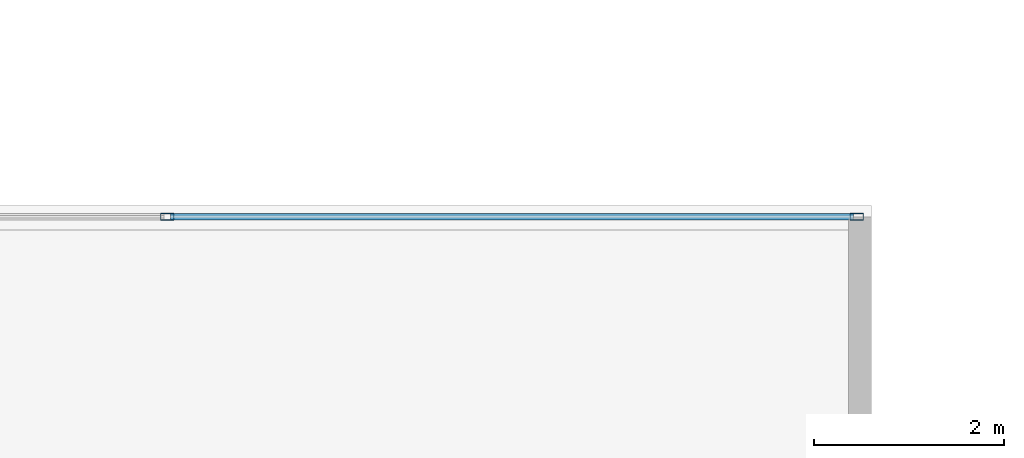
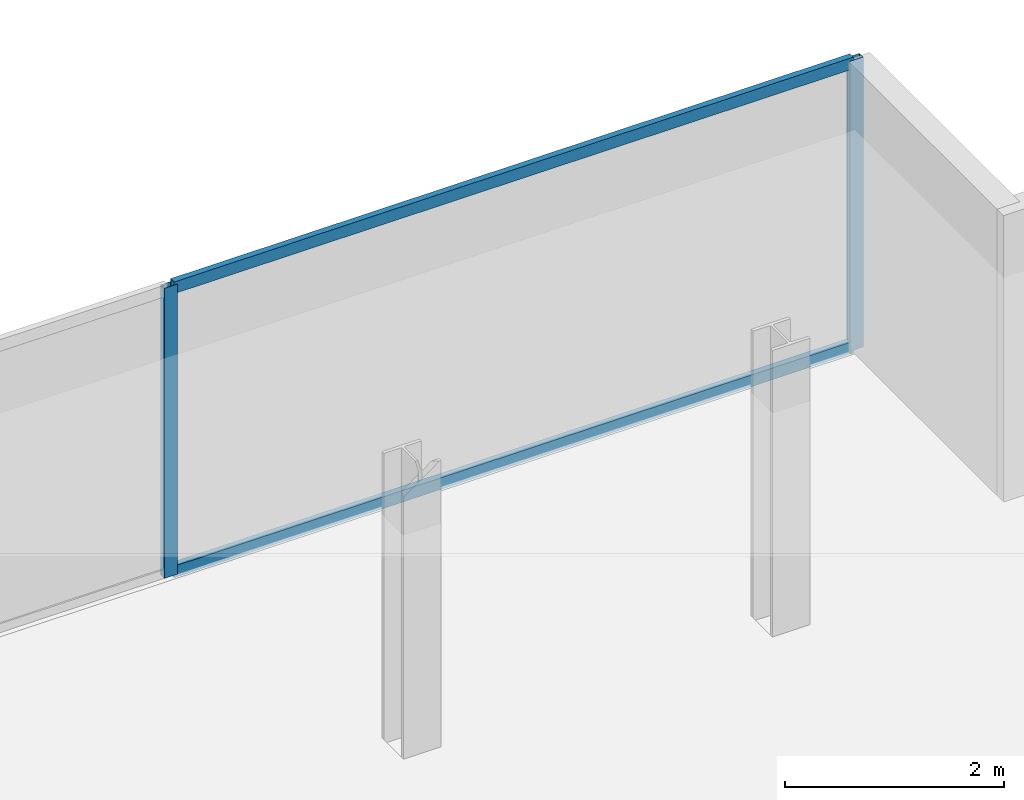
# One storey, part 17 of 24: 4 members, 1 element without a shape of its own.
"""IFC4 building model written with IfcOpenShell, lengths in metres."""

from ifc_helpers import new_model, si_unit, direction, frame, origin, origin_2d, place, context, subcontext, project, spatial, hollow_rectangle, extrude, material, material_profile, profile_set, type_object, element, aggregate, save


model = new_model("IFC4")

# Units and contexts
model_context = context("Model", 3, precision=1e-05, world=origin(), true_north=direction((0.0, 1.0)))
body_context = subcontext(model_context, "Body", "Model", "MODEL_VIEW")
ifc_project = project(units=[si_unit("LENGTHUNIT", "METRE"), si_unit("AREAUNIT", "SQUARE_METRE"), si_unit("VOLUMEUNIT", "CUBIC_METRE"), si_unit("PLANEANGLEUNIT", "RADIAN"), si_unit("MASSUNIT", "GRAM", prefix="KILO")], contexts=[model_context])

# Site, building, storey
site_placement = place(None, origin())
site = spatial("IfcSite", under=ifc_project, at=site_placement, CompositionType="ELEMENT")
building_placement = place(site_placement, origin())
building = spatial("IfcBuilding", under=site, at=building_placement, Name="Cobrela Telecom Tower", CompositionType="ELEMENT")
storey_placement = place(building_placement, frame((0.0, 0.0, 241.14990234375)))
storey = spatial("IfcBuildingStorey", under=building, at=storey_placement, Name="L62", CompositionType="ELEMENT", Elevation=241.14990234375)

# Curtain wall, members
ifc_material = material(Name="Anodized Bronze Aluminium 6063-T6", Category="aluminium")
curtain_wall_type = type_object("IfcCurtainWallType", Name="CW-SYS-OFF-HI", PredefinedType="USERDEFINED", material=ifc_material)
curtain_wall_placement = place(storey_placement, origin())
curtain_wall = element("IfcCurtainWall", 1, at=curtain_wall_placement, inside=storey, type_object=curtain_wall_type, Name="L62 Unitised Bronze Curtain Wall 09", ObjectType="UNITISED CURTAIN WALL", PredefinedType="USERDEFINED")
ifc_material_profile_1 = material_profile(ifc_material, hollow_rectangle(XDim=0.070068359375, YDim=0.139892578125, WallThickness=0.00390625, at=origin_2d()), Name="ALU 70x140x4")
ifc_profile_set_1 = profile_set([ifc_material_profile_1], Name="Anodized Bronze Aluminium 6063-T6")
member_type_1 = type_object("IfcMemberType", Name="CW-SYS-OFF-HI-MUL", PredefinedType="MULLION", material=ifc_profile_set_1)
member_1_placement = place(storey_placement, frame((35.44677734375, 25.080078125, 0.0), z_axis=(0.0, 0.0, 1.0), x_axis=(0.0, 1.0, 0.0)))
member_1 = element("IfcMember", 2, at=member_1_placement, type_object=member_type_1, Name="CW-OFF-HI mullion 3", PredefinedType="MULLION", context=body_context, shape_type="SweptSolid", body=[
    extrude(hollow_rectangle(XDim=0.070068359375, YDim=0.139892578125, WallThickness=0.00390625, at=origin_2d()), origin(), (0.0, 0.0, 1.0), 3.239990234375),
])
member_2_placement = place(storey_placement, frame((42.695068359375, 25.080078125, 0.0), z_axis=(0.0, 0.0, 1.0), x_axis=(0.0, 1.0, 0.0)))
member_2 = element("IfcMember", 3, at=member_2_placement, type_object=member_type_1, Name="CW-OFF-HI mullion 4", PredefinedType="MULLION", context=body_context, shape_type="SweptSolid", body=[
    extrude(hollow_rectangle(XDim=0.070068359375, YDim=0.139892578125, WallThickness=0.00390625, at=origin_2d()), origin(), (0.0, 0.0, 1.0), 3.239990234375),
])
ifc_material_profile_2 = material_profile(ifc_material, hollow_rectangle(XDim=0.06494140625, YDim=0.1298828125, WallThickness=0.00390625, at=origin_2d()), Name="ALU 65x130x4")
ifc_profile_set_2 = profile_set([ifc_material_profile_2], Name="Anodized Bronze Aluminium 6063-T6")
member_type_2 = type_object("IfcMemberType", Name="CW-SYS-OFF-HI-TRN", PredefinedType="USERDEFINED", material=ifc_profile_set_2)
member_3_placement = place(storey_placement, frame((35.481689453125, 25.080078125, 0.03271484375), z_axis=(1.0, 0.0, 0.0), x_axis=(0.0, 1.0, 0.0)))
member_3 = element("IfcMember", 4, at=member_3_placement, type_object=member_type_2, Name="CW-OFF-HI transom 3.1", ObjectType="TRANSOM", PredefinedType="USERDEFINED", context=body_context, shape_type="SweptSolid", body=[
    extrude(hollow_rectangle(XDim=0.06494140625, YDim=0.1298828125, WallThickness=0.00390625, at=origin_2d()), origin(), (0.0, 0.0, 1.0), 7.17822265625),
])
member_4_placement = place(storey_placement, frame((35.481689453125, 25.080078125, 3.20751953125), z_axis=(1.0, 0.0, 0.0), x_axis=(0.0, 1.0, 0.0)))
member_4 = element("IfcMember", 5, at=member_4_placement, type_object=member_type_2, Name="CW-OFF-HI transom 3.2", ObjectType="TRANSOM", PredefinedType="USERDEFINED", context=body_context, shape_type="SweptSolid", body=[
    extrude(hollow_rectangle(XDim=0.06494140625, YDim=0.1298828125, WallThickness=0.00390625, at=origin_2d()), origin(), (0.0, 0.0, 1.0), 7.17822265625),
])
aggregate(curtain_wall, [member_1, member_2, member_3, member_4])

save(model, "model.ifc")
